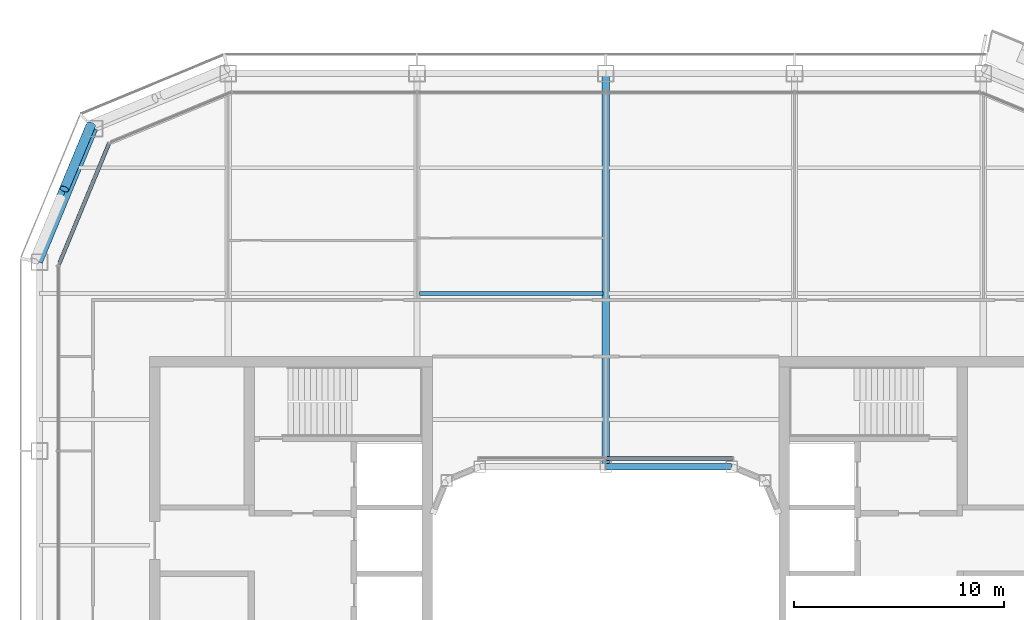
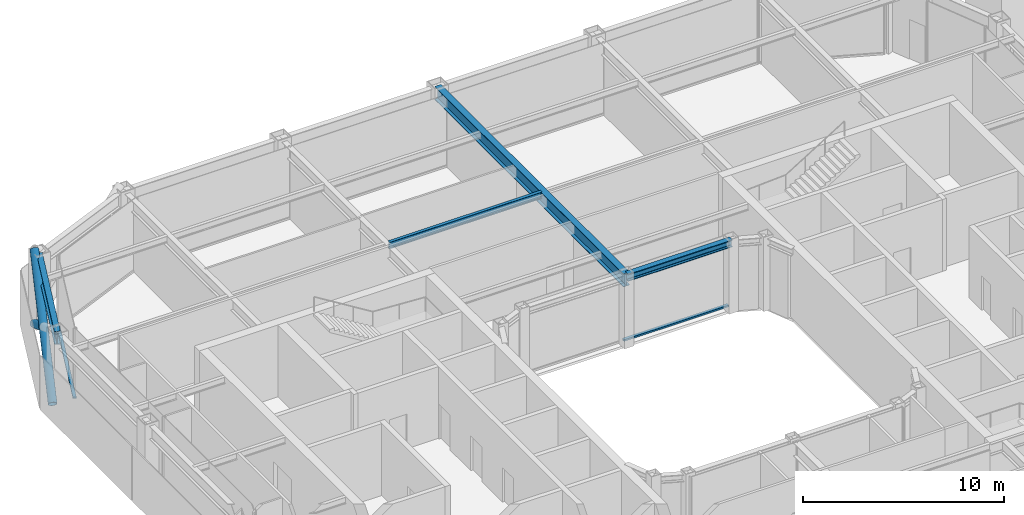
# One storey, part 7 of 23: 4 beams, 4 members, 2 elements without a shape of their own.
"""IFC4 building model written with IfcOpenShell, lengths in metres."""

from ifc_helpers import new_model, si_unit, direction, frame, origin, origin_2d, place, context, subcontext, project, spatial, rectangle, hollow_circle, i_section, extrude, material, layer, layer_set, material_profile, profile_set, type_object, element, aggregate, save


model = new_model("IFC4")

# Units and contexts
model_context = context("Model", 3, precision=1e-05, world=origin(), true_north=direction((0.0, 1.0)))
body_context = subcontext(model_context, "Body", "Model", "MODEL_VIEW")
ifc_project = project(units=[si_unit("LENGTHUNIT", "METRE"), si_unit("AREAUNIT", "SQUARE_METRE"), si_unit("VOLUMEUNIT", "CUBIC_METRE"), si_unit("PLANEANGLEUNIT", "RADIAN"), si_unit("MASSUNIT", "GRAM", prefix="KILO")], contexts=[model_context])

# Site, building, storey
site_placement = place(None, origin())
site = spatial("IfcSite", under=ifc_project, at=site_placement, CompositionType="ELEMENT")
building_placement = place(site_placement, origin())
building = spatial("IfcBuilding", under=site, at=building_placement, Name="Siwar Civic Tower", CompositionType="ELEMENT")
storey_placement = place(building_placement, frame((0.0, 0.0, 260.199951171875)))
storey = spatial("IfcBuildingStorey", under=building, at=storey_placement, Name="L56", CompositionType="ELEMENT", Elevation=260.199951171875)

# Curtain wall, member
ifc_material_1 = material(Name="Aluminium clad insulated panel", Category="aluminium")
ifc_layer_1 = layer(ifc_material_1, 0.179931640625)
ifc_layer_set_1 = layer_set([ifc_layer_1], Name="Aluminium clad insulated panel")
curtain_wall_type_1 = type_object("IfcCurtainWallType", Name="ENV-CW-CX", PredefinedType="NOTDEFINED", material=ifc_layer_set_1)
curtain_wall_1_placement = place(storey_placement, origin())
curtain_wall_1 = element("IfcCurtainWall", 1, at=curtain_wall_1_placement, inside=storey, type_object=curtain_wall_type_1, Name="Curtain wall C NW2", PredefinedType="NOTDEFINED")
ifc_material_2 = material(Name="Aluminium 6063-T6", Category="aluminium")
ifc_material_profile_1 = material_profile(ifc_material_2, rectangle(XDim=0.179931640625, YDim=0.10009765625, at=origin_2d()), Name="AL 180x100")
ifc_profile_set_1 = profile_set([ifc_material_profile_1], Name="Aluminium 6063-T6")
member_type_1 = type_object("IfcMemberType", Name="ENV-TRANSOM-C", PredefinedType="USERDEFINED", material=ifc_profile_set_1)
member_1_placement = place(storey_placement, frame((-23.6865234375, 23.6474609375, 0.050048828125), z_axis=(-0.382691366456, -0.923876246063, 0.0), x_axis=(0.923876246063, -0.382691366456, 0.0)))
member_1 = element("IfcMember", 2, at=member_1_placement, type_object=member_type_1, Name="Transom C NW2 1", ObjectType="TRANSOM", PredefinedType="USERDEFINED", context=body_context, shape_type="SweptSolid", body=[
    extrude(rectangle(XDim=0.179931640625, YDim=0.10009765625, at=origin_2d()), origin(), (0.0, 0.0, 1.0), 6.20166015625),
])
aggregate(curtain_wall_1, [member_1])

ifc_material_3 = material(Name="Aluminium and glass", Category="aluminium")
ifc_layer_2 = layer(ifc_material_3, 0.179931640625)
ifc_layer_set_2 = layer_set([ifc_layer_2], Name="Aluminium and glass")
curtain_wall_type_2 = type_object("IfcCurtainWallType", Name="ENV-CW-W", PredefinedType="NOTDEFINED", material=ifc_layer_set_2)
curtain_wall_2_placement = place(storey_placement, origin())
curtain_wall_2 = element("IfcCurtainWall", 3, at=curtain_wall_2_placement, inside=storey, type_object=curtain_wall_type_2, Name="Curtain wall W WN", PredefinedType="NOTDEFINED")
ifc_material_4 = material(Name="Aluminium 6063-T6", Category="aluminium")
ifc_material_profile_2 = material_profile(ifc_material_4, rectangle(XDim=0.179931640625, YDim=0.10009765625, at=origin_2d()), Name="AL 180x100")
ifc_profile_set_2 = profile_set([ifc_material_profile_2], Name="Aluminium 6063-T6")
member_type_2 = type_object("IfcMemberType", Name="ENV-TRANSOM-W", PredefinedType="USERDEFINED", material=ifc_profile_set_2)
member_2_placement = place(storey_placement, frame((6.046630859375, 8.635009765625, 0.050048828125), z_axis=(-1.0, 0.0, 0.0), x_axis=(0.0, -1.0, 0.0)))
member_2 = element("IfcMember", 4, at=member_2_placement, type_object=member_type_2, Name="Transom W WN 1", ObjectType="TRANSOM", PredefinedType="USERDEFINED", context=body_context, shape_type="SweptSolid", body=[
    extrude(rectangle(XDim=0.179931640625, YDim=0.10009765625, at=origin_2d()), origin(), (0.0, 0.0, 1.0), 6.0166015625),
])
aggregate(curtain_wall_2, [member_2])

# Members
ifc_material_5 = material(Name="Steel S355", Category="steel")
ifc_material_profile_3 = material_profile(ifc_material_5, hollow_circle(Radius=0.228515625, WallThickness=0.02001953125, at=origin_2d()), Name="CHS457x20")
ifc_profile_set_3 = profile_set([ifc_material_profile_3], Name="Steel S355")
member_type_3 = type_object("IfcMemberType", Name="STR-BR-CHS457x20", PredefinedType="BRACE", material=ifc_profile_set_3)
member_3_placement = place(storey_placement, frame((-27.2451171875, 18.048828125, 0.0), z_axis=(0.323905527954, 0.777554562952, 0.538975055633), x_axis=(-0.923108759191, 0.384538969033, 0.0)))
element("IfcMember", 5, at=member_3_placement, inside=storey, type_object=member_type_3, Name="L56/brc/CNW1-16-0-1", PredefinedType="BRACE", context=body_context, shape_type="SweptSolid", body=[
    extrude(hollow_circle(Radius=0.228515625, WallThickness=0.02001953125, at=origin_2d()), origin(), (0.0, 0.0, 1.0), 8.34912109375),
])
member_4_placement = place(storey_placement, frame((-24.540771484375, 24.540771484375, 0.0), z_axis=(-0.323884455881, -0.777546448489, 0.538999424564), x_axis=(0.92311621485, -0.38452107079, 0.0)))
element("IfcMember", 6, at=member_4_placement, inside=storey, type_object=member_type_3, Name="L56/brc/CNW1-16-0-2", PredefinedType="BRACE", context=body_context, shape_type="SweptSolid", body=[
    extrude(hollow_circle(Radius=0.228515625, WallThickness=0.02001953125, at=origin_2d()), origin(), (0.0, 0.0, 1.0), 3.927978515625),
])

# Beams
ifc_material_6 = material(Name="Steel S355", Category="steel")
ifc_material_profile_4 = material_profile(ifc_material_6, i_section(OverallWidth=0.179931640625, OverallDepth=0.39990234375, WebThickness=0.008544921875, FlangeThickness=0.013427734375, FilletRadius=0.02099609375, at=origin_2d()), Name="IPE400")
ifc_profile_set_4 = profile_set([ifc_material_profile_4], Name="Steel S355")
beam_type_1 = type_object("IfcBeamType", Name="STR-FB-IPE400", PredefinedType="JOIST", material=ifc_profile_set_4)
beam_1_placement = place(storey_placement, frame((-8.8701171875, 16.5, 4.150146484375), z_axis=(1.0, 0.0, 0.0), x_axis=(0.0, 1.0, 0.0)))
element("IfcBeam", 7, at=beam_1_placement, inside=storey, type_object=beam_type_1, Name="L56/bm/F033", PredefinedType="JOIST", context=body_context, shape_type="SweptSolid", body=[
    extrude(i_section(OverallWidth=0.179931640625, OverallDepth=0.39990234375, WebThickness=0.008544921875, FlangeThickness=0.013427734375, FilletRadius=0.02099609375, at=origin_2d()), origin(), (0.0, 0.0, 1.0), 8.740234375),
])
ifc_material_7 = material(Name="Steel S355", Category="steel")
ifc_material_profile_5 = material_profile(ifc_material_7, i_section(OverallWidth=0.360107421875, OverallDepth=0.800048828125, WebThickness=0.013916015625, FlangeThickness=0.031982421875, at=origin_2d()), Name="PG800x360x14x32")
ifc_profile_set_5 = profile_set([ifc_material_profile_5], Name="Steel S355")
beam_type_2 = type_object("IfcBeamType", Name="STR-PG-PG800x360x14x32", PredefinedType="BEAM", material=ifc_profile_set_5)
beam_2_placement = place(storey_placement, frame((0.0, 8.25, 3.949951171875), z_axis=(0.0, 1.0, 0.0), x_axis=(-1.0, 0.0, 0.0)))
element("IfcBeam", 8, at=beam_2_placement, inside=storey, type_object=beam_type_2, Name="L56/bm/G06", PredefinedType="BEAM", context=body_context, shape_type="SweptSolid", body=[
    extrude(i_section(OverallWidth=0.360107421875, OverallDepth=0.800048828125, WebThickness=0.013916015625, FlangeThickness=0.031982421875, at=origin_2d()), origin(), (0.0, 0.0, 1.0), 18.75),
])
ifc_material_8 = material(Name="Steel S355", Category="steel")
ifc_material_profile_6 = material_profile(ifc_material_8, i_section(OverallWidth=0.306884765625, OverallDepth=0.431884765625, WebThickness=0.02099609375, FlangeThickness=0.0400390625, FilletRadius=0.027099609375, at=origin_2d()), Name="HEM400")
ifc_profile_set_6 = profile_set([ifc_material_profile_6], Name="Steel S355")
beam_type_3 = type_object("IfcBeamType", Name="STR-RB-HEM400", PredefinedType="BEAM", material=ifc_profile_set_6)
beam_3_placement = place(storey_placement, frame((0.0, 8.25, 4.134033203125), z_axis=(1.0, 0.0, 0.0), x_axis=(0.0, 1.0, 0.0)))
element("IfcBeam", 9, at=beam_3_placement, inside=storey, type_object=beam_type_3, Name="L56/bm/RN2", PredefinedType="BEAM", context=body_context, shape_type="SweptSolid", body=[
    extrude(i_section(OverallWidth=0.306884765625, OverallDepth=0.431884765625, WebThickness=0.02099609375, FlangeThickness=0.0400390625, FilletRadius=0.027099609375, at=origin_2d()), origin(), (0.0, 0.0, 1.0), 6.0),
])
ifc_material_9 = material(Name="Steel S355", Category="steel")
ifc_material_profile_7 = material_profile(ifc_material_9, i_section(OverallWidth=0.300048828125, OverallDepth=0.800048828125, WebThickness=0.017578125, FlangeThickness=0.032958984375, FilletRadius=0.030029296875, at=origin_2d()), Name="HEB800")
ifc_profile_set_7 = profile_set([ifc_material_profile_7], Name="Steel S355")
beam_type_4 = type_object("IfcBeamType", Name="STR-SB-HEB800", PredefinedType="BEAM", material=ifc_profile_set_7)
beam_4_placement = place(storey_placement, frame((-24.364013671875, 24.364013671875, 3.949951171875), z_axis=(-0.382674207535, -0.923883353507, 0.0), x_axis=(0.923883353507, -0.382674207535, 0.0)))
element("IfcBeam", 10, at=beam_4_placement, inside=storey, type_object=beam_type_4, Name="L56/bm/SNW2-0", PredefinedType="BEAM", context=body_context, shape_type="SweptSolid", body=[
    extrude(i_section(OverallWidth=0.300048828125, OverallDepth=0.800048828125, WebThickness=0.017578125, FlangeThickness=0.032958984375, FilletRadius=0.030029296875, at=origin_2d()), origin(), (0.0, 0.0, 1.0), 6.888427734375),
])

save(model, "model.ifc")
